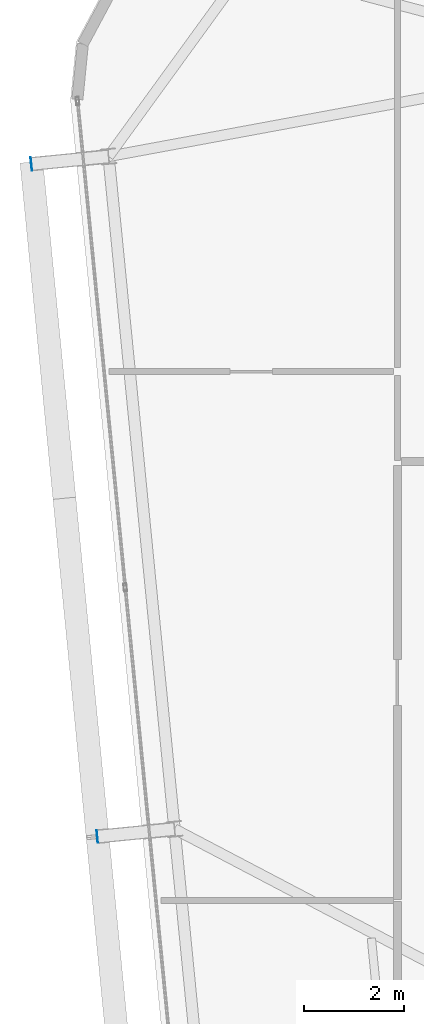
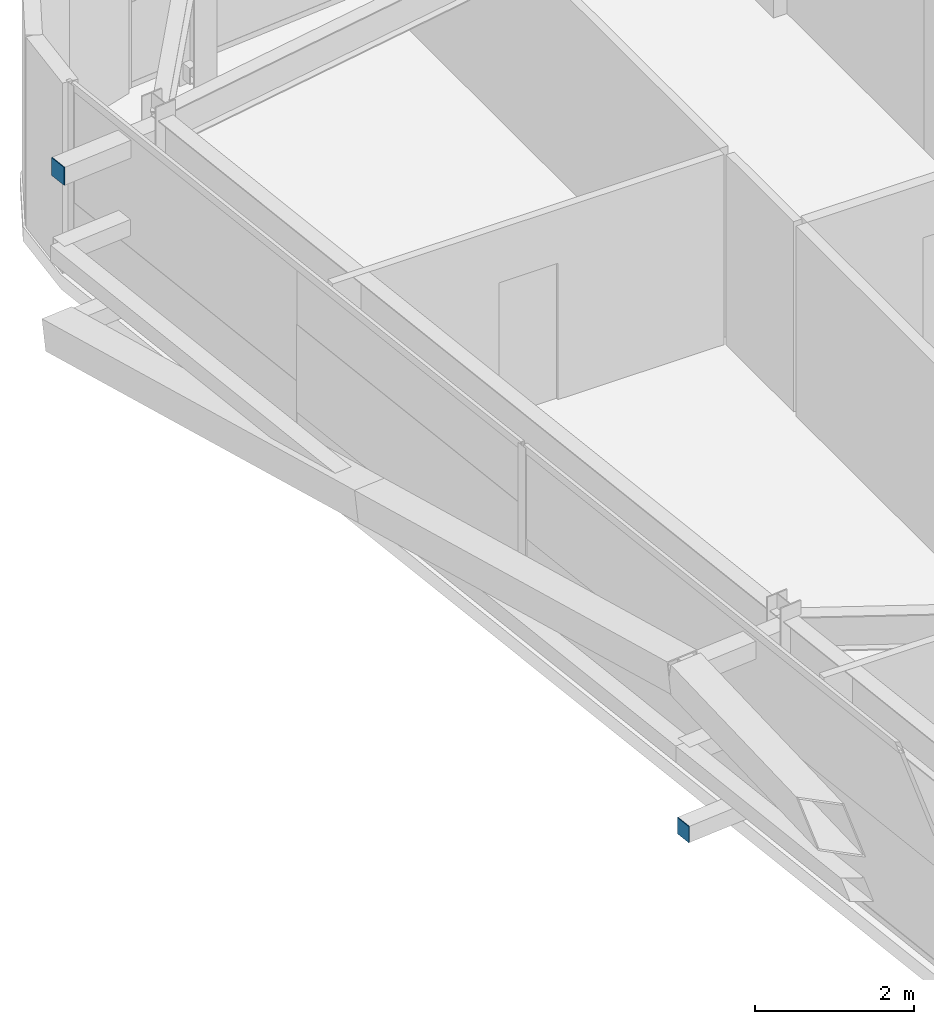
# One storey, part 35 of 47: 2 plates.
"""IFC4 building model written with IfcOpenShell, lengths in metres."""

from ifc_helpers import new_model, si_unit, direction, frame, origin, origin_2d, place, context, subcontext, project, spatial, rectangle, extrude, source, transform, mapped, material, layer, layer_set, type_object, element, save


model = new_model("IFC4")

# Units and contexts
model_context = context("Model", 3, precision=1e-05, world=origin(), true_north=direction((0.0, 1.0)))
body_context = subcontext(model_context, "Body", "Model", "MODEL_VIEW")
ifc_project = project(units=[si_unit("LENGTHUNIT", "METRE"), si_unit("AREAUNIT", "SQUARE_METRE"), si_unit("VOLUMEUNIT", "CUBIC_METRE"), si_unit("PLANEANGLEUNIT", "RADIAN"), si_unit("MASSUNIT", "GRAM", prefix="KILO")], contexts=[model_context])

# Site, building, storey
site_placement = place(None, origin())
site = spatial("IfcSite", under=ifc_project, at=site_placement, CompositionType="ELEMENT")
building_placement = place(site_placement, origin())
building = spatial("IfcBuilding", under=site, at=building_placement, Name="Taldren Reach Tower", CompositionType="ELEMENT")
storey_placement = place(building_placement, frame((0.0, 0.0, 87.14990234375)))
storey = spatial("IfcBuildingStorey", under=building, at=storey_placement, Name="L26", CompositionType="ELEMENT", Elevation=87.14990234375)

# Plates
ifc_material_1 = material(Name="Steel Gr 450 (C450L0)", Category="steel")
ifc_layer_1 = layer(ifc_material_1, 0.011962890625)
ifc_layer_set_1 = layer_set([ifc_layer_1], Name="Steel Gr 450 (C450L0)")
plate_type_1 = type_object("IfcPlateType", Name="PL-CAP-275", PredefinedType="SHEET", material=ifc_layer_set_1)
shared_shape_1 = source(origin(), body_context, "Body", "SweptSolid", [
    extrude(rectangle(XDim=0.011962890625, YDim=0.27490234375, at=origin_2d()), origin(), (0.0, 0.0, 1.0), 0.27490234375),
])
plate_1_placement = place(storey_placement, frame((7.259765625, 29.964599609375, 2.5126953125), z_axis=(0.0, 0.0, 1.0), x_axis=(0.995227399982, 0.097582899759, 0.0)))
element("IfcPlate", 1, at=plate_1_placement, inside=storey, type_object=plate_type_1, Name="Tie strut end cap plate B2-W3 L26", PredefinedType="SHEET", context=body_context, shape_type="MappedRepresentation", body=[
    mapped(shared_shape_1, transform((0.0, 0.0, 0.0), scale=1.0)),
])
ifc_material_2 = material(Name="Steel Gr 350 (C350L0)", Category="steel")
ifc_layer_2 = layer(ifc_material_2, 0.011962890625)
ifc_layer_set_2 = layer_set([ifc_layer_2], Name="Steel Gr 350 (C350L0)")
plate_type_2 = type_object("IfcPlateType", Name="PL-CAP-250", PredefinedType="SHEET", material=ifc_layer_set_2)
shared_shape_2 = source(origin(), body_context, "Body", "SweptSolid", [
    extrude(rectangle(XDim=0.011962890625, YDim=0.25, at=origin_2d()), origin(), (0.0, 0.0, 1.0), 0.25),
])
plate_2_placement = place(storey_placement, frame((8.58203125, 16.479248046875, 0.09521484375), z_axis=(0.0, 0.0, 1.0), x_axis=(0.995227399982, 0.097582899759, 0.0)))
element("IfcPlate", 2, at=plate_2_placement, inside=storey, type_object=plate_type_2, Name="Tie strut end cap plate B2-W2 L26", PredefinedType="SHEET", context=body_context, shape_type="MappedRepresentation", body=[
    mapped(shared_shape_2, transform((0.0, 0.0, 0.0), scale=1.0)),
])

save(model, "model.ifc")
